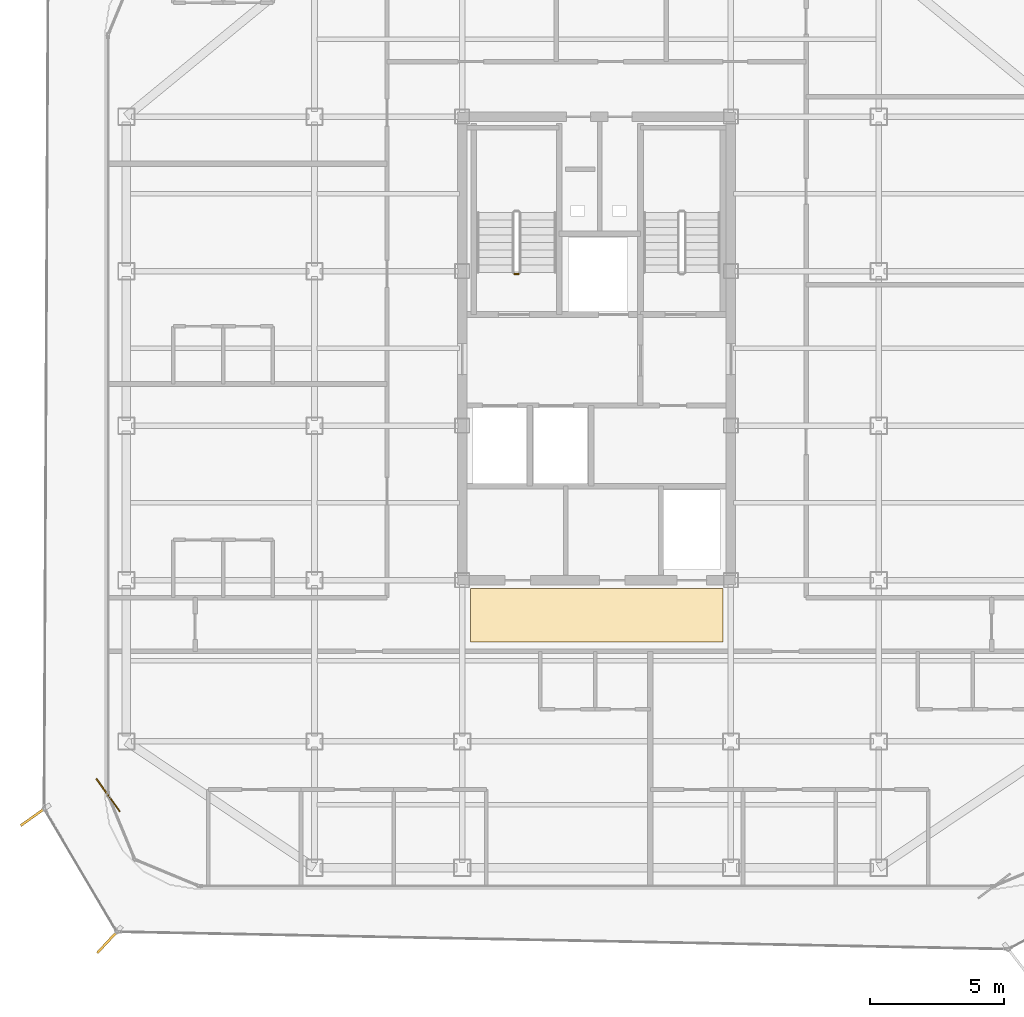
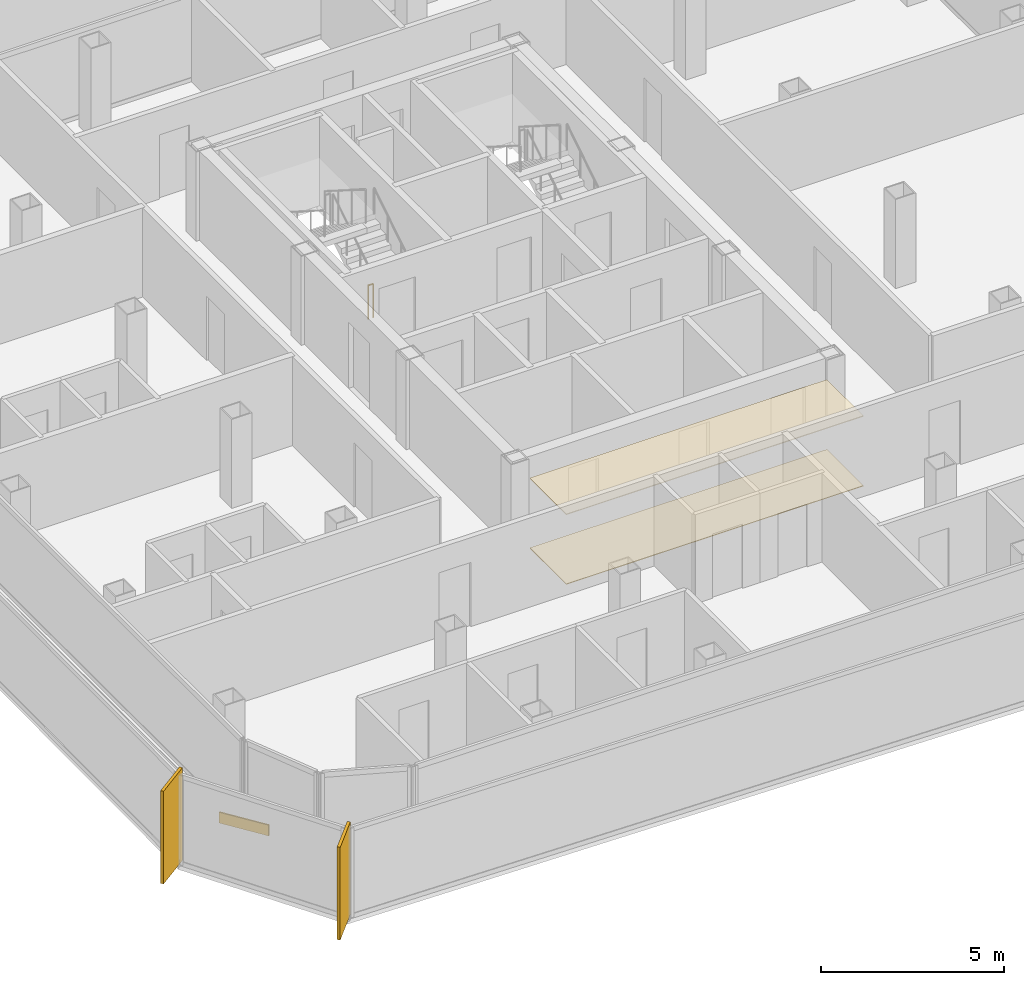
# One storey, part 13 of 15: 3 coverings, 2 shading devices, 1 railing.
"""IFC4 building model written with IfcOpenShell, lengths in metres."""

from ifc_helpers import new_model, si_unit, direction, frame, origin, origin_2d, place, context, subcontext, project, spatial, polyline, rectangle, circle, outline, extrude, source, transform, mapped, material, layer, layer_set, type_object, element, save


model = new_model("IFC4")

# Units and contexts
model_context = context("Model", 3, precision=1e-05, world=origin(), true_north=direction((0.0, 1.0)))
body_context = subcontext(model_context, "Body", "Model", "MODEL_VIEW")
ifc_project = project(units=[si_unit("LENGTHUNIT", "METRE"), si_unit("AREAUNIT", "SQUARE_METRE"), si_unit("VOLUMEUNIT", "CUBIC_METRE"), si_unit("PLANEANGLEUNIT", "RADIAN"), si_unit("MASSUNIT", "GRAM", prefix="KILO")], contexts=[model_context])

# Site, building, storey
site_placement = place(None, origin())
site = spatial("IfcSite", under=ifc_project, at=site_placement, CompositionType="ELEMENT")
building_placement = place(site_placement, origin())
building = spatial("IfcBuilding", under=site, at=building_placement, Name="Kolveth Station Tower", CompositionType="ELEMENT")
storey_placement = place(building_placement, frame((0.0, 0.0, 258.5)))
storey = spatial("IfcBuildingStorey", under=building, at=storey_placement, Name="L74", CompositionType="ELEMENT", Elevation=258.5)

# Coverings
ifc_material_1 = material(Name="Acoustic mineral-fibre ceiling tile")
ifc_layer_1 = layer(ifc_material_1, 0.02490234375)
ifc_layer_set_1 = layer_set([ifc_layer_1], Name="Acoustic mineral-fibre ceiling tile")
covering_type_1 = type_object("IfcCoveringType", Name="Ceil_CL1", PredefinedType="CEILING", material=ifc_layer_set_1)
covering_1_placement = place(storey_placement, frame((0.0, 0.0, 2.330078125)))
element("IfcCovering", 1, at=covering_1_placement, inside=storey, type_object=covering_type_1, Name="L74 Lift Lobby Suspended Ceiling", PredefinedType="CEILING", context=body_context, shape_type="SweptSolid", body=[
    extrude(outline(polyline([(18.800048828125, 9.199951171875), (28.199951171875, 9.199951171875), (28.199951171875, 11.199951171875), (18.800048828125, 11.199951171875), (18.800048828125, 9.199951171875)])), origin(), (0.0, 0.0, 1.0), 0.02490234375),
])
ifc_material_2 = material(Name="Honed terrazzo flooring")
ifc_layer_2 = layer(ifc_material_2, 0.02001953125)
ifc_layer_set_2 = layer_set([ifc_layer_2], Name="Honed terrazzo flooring")
covering_type_2 = type_object("IfcCoveringType", Name="Floor_FL1", PredefinedType="FLOORING", material=ifc_layer_set_2)
covering_2_placement = place(storey_placement, origin())
element("IfcCovering", 2, at=covering_2_placement, inside=storey, type_object=covering_type_2, Name="L74 Lift Lobby Floor Finish", PredefinedType="FLOORING", context=body_context, shape_type="SweptSolid", body=[
    extrude(outline(polyline([(18.800048828125, 9.199951171875), (28.199951171875, 9.199951171875), (28.199951171875, 11.199951171875), (18.800048828125, 11.199951171875), (18.800048828125, 9.199951171875)])), origin(), (0.0, 0.0, 1.0), 0.02001953125),
])

# Railing
ifc_material_3 = material(Name="Painted Steel S355 balustrade", Category="steel")
railing_type = type_object("IfcRailingType", Name="Guard_GR2", PredefinedType="BALUSTRADE", material=ifc_material_3)
railing_placement = place(storey_placement, frame((20.60009765625, 22.89990234375, 0.0)))
element("IfcRailing", 3, at=railing_placement, inside=storey, type_object=railing_type, Name="L74 ST1 stair guard 4", PredefinedType="BALUSTRADE", context=body_context, shape_type="SweptSolid", body=[
    extrude(circle(Radius=0.02392578125, at=origin_2d()), frame((0.0, 0.0, 1.1259765625), z_axis=(-1.0, 0.0, 0.0), x_axis=(0.0, -1.0, 0.0)), (0.0, 0.0, 1.0), 0.16015625),
    extrude(circle(Radius=0.02099609375, at=origin_2d()), origin(), (0.0, 0.0, 1.0), 1.101806640625),
    extrude(circle(Radius=0.02099609375, at=origin_2d()), frame((-0.16015625, 0.0, 0.0)), (0.0, 0.0, 1.0), 1.101806640625),
])

# Shading devices
ifc_material_4 = material(Name="Black anodized aluminium 6063-T6", Category="aluminium")
shading_device_type = type_object("IfcShadingDeviceType", Name="FIN_VF1", PredefinedType="USERDEFINED", material=ifc_material_4)
shared_shape_1 = source(origin(), body_context, "Body", "SweptSolid", [
    extrude(rectangle(XDim=1.25, YDim=0.090087890625, at=origin_2d()), origin(), (0.0, 0.0, 1.0), 3.10009765625),
])
for number, where, z_axis, x_axis, name in (
    (4, (2.576904296875, 2.72900390625, 0.0), (0.0, 0.0, 1.0), (-0.814216857742, -0.580560856904, 0.0), "L74 Dark-Aluminium Solar Fin 7"),
    (5, (5.341064453125, -1.9169921875, 0.0), (0.0, 0.0, 1.0), (-0.680209291693, -0.733017953051, 0.0), "L74 Dark-Aluminium Solar Fin 8"),
):
    element("IfcShadingDevice", number, at=place(storey_placement, frame(where, z_axis=z_axis, x_axis=x_axis)), inside=storey, type_object=shading_device_type, Name=name, ObjectType="FIN", PredefinedType="USERDEFINED", context=body_context, shape_type="MappedRepresentation", body=[
        mapped(shared_shape_1, transform((0.0, 0.0, 0.0), x_axis=(1.0, 0.0, 0.0), y_axis=(0.0, 1.0, 0.0), z_axis=(0.0, 0.0, 1.0), scale=1.0)),
    ])

# Covering
ifc_material_5 = material(Name="Charcoal anodized aluminium spandrel cladding", Category="aluminium")
ifc_layer_3 = layer(ifc_material_5, 0.044921875)
ifc_layer_set_3 = layer_set([ifc_layer_3], Name="Charcoal anodized aluminium spandrel cladding")
covering_type_3 = type_object("IfcCoveringType", Name="Clad_CD1", PredefinedType="CLADDING", material=ifc_layer_set_3)
shared_shape_2 = source(origin(), body_context, "Body", "SweptSolid", [
    extrude(rectangle(XDim=1.5, YDim=0.044921875, at=origin_2d()), origin(), (0.0, 0.0, 1.0), 0.360107421875),
])
covering_3_placement = place(storey_placement, frame((5.320068359375, 3.5, 0.0), z_axis=(0.0, 0.0, 1.0), x_axis=(0.580560856904, -0.814216857742, 0.0)))
element("IfcCovering", 6, at=covering_3_placement, inside=storey, type_object=covering_type_3, Name="L74 Spandrel Edge Cladding 7", PredefinedType="CLADDING", context=body_context, shape_type="MappedRepresentation", body=[
    mapped(shared_shape_2, transform((0.0, 0.0, 0.0), x_axis=(1.0, 0.0, 0.0), y_axis=(0.0, 1.0, 0.0), z_axis=(0.0, 0.0, 1.0), scale=1.0)),
])

save(model, "model.ifc")
